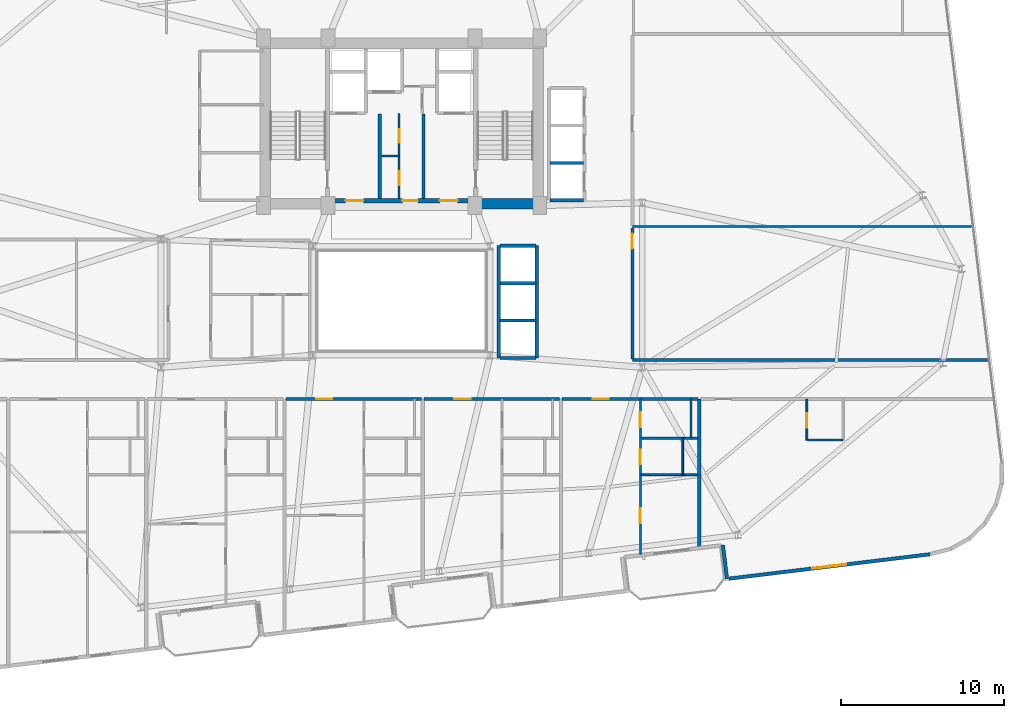
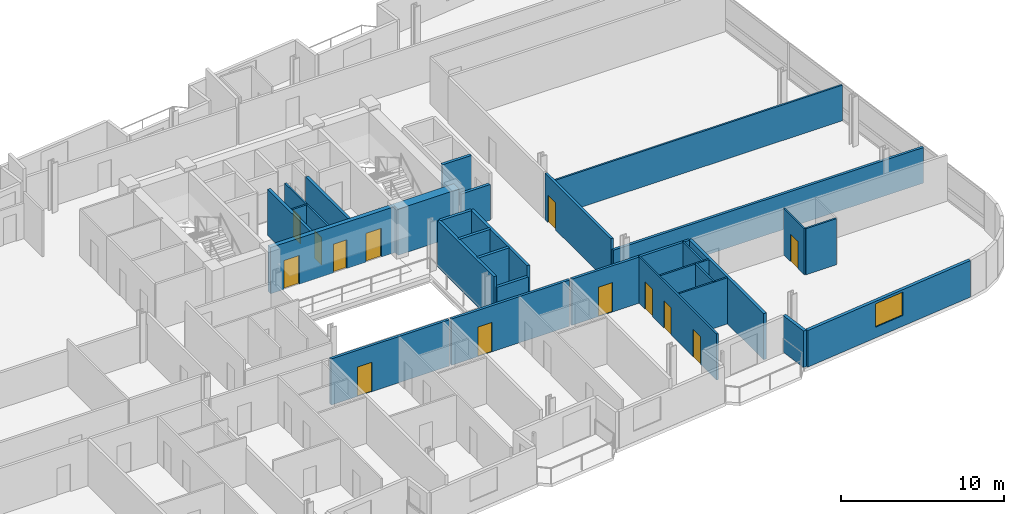
# One storey, part 16 of 23: 30 walls, 13 doors, 1 window, 14 openings.
"""IFC4 building model written with IfcOpenShell, lengths in metres."""

import ifcopenshell
import ifcopenshell.guid

model = None  # the IFC model being written
_history = None  # IfcOwnerHistory: only IFC2X3 demands one
_inside = {}  # id of a spatial element -> (the spatial element, [elements in it])
_under = {}  # id of a project, library or spatial element -> (it, [spatial elements below it])
_declared = {}  # id of a project -> (the project, [libraries it declares])
_typed = {}  # id of a type object -> (the type object, [elements of that type])
_made_of = {}  # id of a material, layer set ... -> (it, [elements and type objects made of it])


def new_model(schema):
    """Start an empty IFC model of exactly this schema.

    Asked for "IFC4X3", IfcOpenShell would pick the latest addendum, in which some entities
    have other attributes; the version numbers below select the first issue.
    IFC2X3 requires an IfcOwnerHistory on every rooted entity: one is made here for all.
    """
    global model, _history
    if schema == "IFC4X3":
        model = ifcopenshell.file(schema_version=(4, 3, 0, 0))
    else:
        model = ifcopenshell.file(schema=schema)
    _inside.clear()
    _under.clear()
    _declared.clear()
    _typed.clear()
    _made_of.clear()
    _history = None
    if model.schema == "IFC2X3":
        org = make("IfcOrganization", Name="unknown")
        user = make(
            "IfcPersonAndOrganization",
            ThePerson=make("IfcPerson", FamilyName="unknown"),
            TheOrganization=org,
        )
        app = make(
            "IfcApplication",
            ApplicationDeveloper=org,
            Version="unknown",
            ApplicationFullName="unknown",
            ApplicationIdentifier="unknown",
        )
        _history = make(
            "IfcOwnerHistory",
            OwningUser=user,
            OwningApplication=app,
            ChangeAction="ADDED",
            CreationDate=0,
        )
    return model


def make(cls, **values):
    """One entity of the class cls with the attributes given. An attribute that is None is left unset."""
    return model.create_entity(
        cls, **{name: value for name, value in values.items() if value is not None}
    )


def rooted(cls, **values):
    """An entity with a GlobalId (a new one), such as an element, a storey or a relation."""
    return make(cls, GlobalId=ifcopenshell.guid.new(), OwnerHistory=_history, **values)


def si_unit(unit_type, name, prefix=None):
    """IfcSIUnit, for example si_unit("LENGTHUNIT", "METRE", prefix="MILLI")."""
    return make("IfcSIUnit", UnitType=unit_type, Prefix=prefix, Name=name)


def assignment(units):
    """IfcUnitAssignment: the units of a project."""
    return None if units is None else make("IfcUnitAssignment", Units=units)


def point(xyz):
    """IfcCartesianPoint."""
    return None if xyz is None else make("IfcCartesianPoint", Coordinates=xyz)


def direction(xyz):
    """IfcDirection."""
    return None if xyz is None else make("IfcDirection", DirectionRatios=xyz)


def frame(location, z_axis=None, x_axis=None):
    """IfcAxis2Placement3D, a coordinate frame: its origin and axes. An axis left out is left unset."""
    return make(
        "IfcAxis2Placement3D",
        Location=point(location),
        Axis=direction(z_axis),
        RefDirection=direction(x_axis),
    )


def frame_2d(location, x_axis=None):
    """IfcAxis2Placement2D, a coordinate frame in the plane: its origin and x axis."""
    return make(
        "IfcAxis2Placement2D", Location=point(location), RefDirection=direction(x_axis)
    )


def origin():
    """The frame at (0, 0, 0) with its axes left unset."""
    return frame((0.0, 0.0, 0.0))


def place(relative_to, where):
    """IfcLocalPlacement: puts the frame where relative to a parent placement (None: the world)."""
    return make(
        "IfcLocalPlacement", PlacementRelTo=relative_to, RelativePlacement=where
    )


def context(
    kind, dimensions, precision=None, world=None, true_north=None, identifier=None
):
    """IfcGeometricRepresentationContext, for example the 3D "Model" context."""
    return make(
        "IfcGeometricRepresentationContext",
        ContextIdentifier=identifier,
        ContextType=kind,
        CoordinateSpaceDimension=dimensions,
        Precision=precision,
        WorldCoordinateSystem=world,
        TrueNorth=true_north,
    )


def subcontext(parent, identifier, kind, view, scale=None):
    """IfcGeometricRepresentationSubContext, for example "Body" below "Model"."""
    return make(
        "IfcGeometricRepresentationSubContext",
        ContextIdentifier=identifier,
        ContextType=kind,
        ParentContext=parent,
        TargetScale=scale,
        TargetView=view,
    )


def project(units=None, contexts=None):
    """IfcProject with its units and contexts."""
    return rooted(
        "IfcProject",
        Name="project",
        RepresentationContexts=contexts,
        UnitsInContext=assignment(units),
    )


def spatial(cls, under=None, at=None, **own):
    """A site, building, storey or space (cls), placed at a placement, below another one or the project."""
    s = rooted(cls, ObjectPlacement=at, **own)
    if under is not None:
        _under.setdefault(under.id(), (under, []))[1].append(s)
    return s


def profile(cls, at=None, kind="AREA", **sizes):
    """A parametric profile (cls). Its sizes go by their IFC names, for example OverallWidth=200.0."""
    return make(cls, ProfileType=kind, Position=at, **sizes)


def rectangle(**sizes):
    """IfcRectangleProfileDef."""
    return profile("IfcRectangleProfileDef", **sizes)


def extrude(swept, where, along, depth):
    """IfcExtrudedAreaSolid: the profile swept, set in the frame where, extruded along a direction by depth."""
    return make(
        "IfcExtrudedAreaSolid",
        SweptArea=swept,
        Position=where,
        ExtrudedDirection=direction(along),
        Depth=depth,
    )


def shape(context_of_items, identifier, shape_type, items):
    """IfcShapeRepresentation: the items that make up one representation, for example the "Body"."""
    return make(
        "IfcShapeRepresentation",
        ContextOfItems=context_of_items,
        RepresentationIdentifier=identifier,
        RepresentationType=shape_type,
        Items=items,
    )


def material(Name=None, Category=None):
    """IfcMaterial."""
    return make("IfcMaterial", Name=Name, Category=Category)


def layer(
    of_material, thickness, ventilated=None, Name=None, Category=None, Priority=None
):
    """IfcMaterialLayer: one layer of a wall or slab, of a material (None: an air gap)."""
    return make(
        "IfcMaterialLayer",
        Material=of_material,
        LayerThickness=thickness,
        IsVentilated=ventilated,
        Name=Name,
        Category=Category,
        Priority=Priority,
    )


def layer_set(layers, Name=None):
    """IfcMaterialLayerSet."""
    return make("IfcMaterialLayerSet", MaterialLayers=layers, LayerSetName=Name)


def made_of(thing, what):
    """Note that an element or type object is made of a material, layer set ...; save() writes the relation."""
    if what is not None:
        _made_of.setdefault(what.id(), (what, []))[1].append(thing)
    return thing


def type_object(cls, material=None, **own):
    """A type object (cls), such as IfcWallType, which elements share."""
    return made_of(rooted(cls, **own), material)


def element(
    cls,
    number,
    at=None,
    inside=None,
    cuts=None,
    type_object=None,
    material=None,
    context=None,
    identifier="Body",
    shape_type=None,
    held_by="IfcProductDefinitionShape",
    body=None,
    shapes=None,
    **own,
):
    """One element of the class cls, such as IfcWall. Its Tag is "e" and its number.

    at: its placement. inside: the storey or other place that contains it. cuts: it is an
    opening in that element (IfcRelVoidsElement). A single representation is given by context,
    identifier, shape_type and body (its items); several are given by shapes. held_by: the class
    of the entity that holds the representations. save() writes the other relations.
    """
    e = rooted(cls, Tag="e%d" % number, ObjectPlacement=at, **own)
    if body is not None:
        shapes = [shape(context, identifier, shape_type, body)]
    if shapes is not None:
        e.Representation = make(held_by, Representations=shapes)
    if inside is not None:
        _inside.setdefault(inside.id(), (inside, []))[1].append(e)
    if cuts is not None:
        rooted(
            "IfcRelVoidsElement", RelatingBuildingElement=cuts, RelatedOpeningElement=e
        )
    if type_object is not None:
        _typed.setdefault(type_object.id(), (type_object, []))[1].append(e)
    return made_of(e, material)


def fill(opening, filler):
    """IfcRelFillsElement: the door or window that sits in an opening."""
    return rooted(
        "IfcRelFillsElement",
        RelatingOpeningElement=opening,
        RelatedBuildingElement=filler,
    )


def aggregate(whole, parts):
    """IfcRelAggregates: a whole, such as a stair, and the parts it consists of."""
    return rooted("IfcRelAggregates", RelatingObject=whole, RelatedObjects=parts)


def save(model, path):
    """Write the relations noted so far, then the file.

    IfcRelAggregates (storeys below a building ...), IfcRelContainedInSpatialStructure (elements
    in a storey), IfcRelDefinesByType, IfcRelAssociatesMaterial and IfcRelDeclares: one each for
    every whole, place, type object, material and project.
    """
    for whole, parts in _under.values():
        aggregate(whole, parts)
    for where, things in _inside.values():
        rooted(
            "IfcRelContainedInSpatialStructure",
            RelatedElements=things,
            RelatingStructure=where,
        )
    for kind, things in _typed.values():
        rooted("IfcRelDefinesByType", RelatedObjects=things, RelatingType=kind)
    for what, things in _made_of.values():
        rooted("IfcRelAssociatesMaterial", RelatedObjects=things, RelatingMaterial=what)
    for by, libraries in _declared.values():
        rooted("IfcRelDeclares", RelatingContext=by, RelatedDefinitions=libraries)
    model.write(path)


model = new_model("IFC4")

# Units and contexts
model_context = context("Model", 3, precision=1e-05, world=origin(), true_north=direction((0.0, 1.0)))
body_context = subcontext(model_context, "Body", "Model", "MODEL_VIEW")
ifc_project = project(units=[si_unit("LENGTHUNIT", "METRE"), si_unit("AREAUNIT", "SQUARE_METRE"), si_unit("VOLUMEUNIT", "CUBIC_METRE"), si_unit("PLANEANGLEUNIT", "RADIAN"), si_unit("MASSUNIT", "GRAM", prefix="KILO")], contexts=[model_context])

# Site, building, storey
site_placement = place(None, origin())
site = spatial("IfcSite", under=ifc_project, at=site_placement, CompositionType="ELEMENT")
building_placement = place(site_placement, origin())
building = spatial("IfcBuilding", under=site, at=building_placement, Name="Varnelok Gate Tower", CompositionType="ELEMENT")
storey_placement = place(building_placement, frame((0.0, 0.0, 193.10009765625)))
storey = spatial("IfcBuildingStorey", under=building, at=storey_placement, Name="L49", CompositionType="ELEMENT", Elevation=193.10009765625)

# Wall
ifc_material_1 = material(Name="Concrete C45/55", Category="concrete")
ifc_layer_1 = layer(ifc_material_1, 0.219970703125)
ifc_layer_set_1 = layer_set([ifc_layer_1], Name="Concrete C45/55")
wall_type_1 = type_object("IfcWallType", Name="EW-BALC-220", PredefinedType="SOLIDWALL", material=ifc_layer_set_1)
wall_1_placement = place(storey_placement, frame((58.961181640625, 7.87158203125, 0.0), z_axis=(0.0, 0.0, 1.0), x_axis=(0.120327895535, -0.992734202874, 0.0)))
element("IfcWall", 1, at=wall_1_placement, inside=storey, type_object=wall_type_1, Name="L49 Perimeter Facade Closure Wall 15", PredefinedType="SOLIDWALL", context=body_context, shape_type="SweptSolid", body=[
    extrude(rectangle(XDim=2.099853515625, YDim=0.219970703125, at=frame_2d((1.0498046875, 0.0))), origin(), (0.0, 0.0, 1.0), 2.72998046875),
])

# Wall, opening, window
wall_2_placement = place(storey_placement, frame((59.337890625, 5.8017578125, 0.0), z_axis=(0.0, 0.0, 1.0), x_axis=(0.992731225757, 0.120352454927, 0.0)))
wall_2 = element("IfcWall", 2, at=wall_2_placement, inside=storey, type_object=wall_type_1, Name="L49 Perimeter Facade Closure Wall 16", PredefinedType="SOLIDWALL", context=body_context, shape_type="SweptSolid", body=[
    extrude(rectangle(XDim=12.447265625, YDim=0.219970703125, at=frame_2d((6.2236328125, 0.0))), origin(), (0.0, 0.0, 1.0), 2.72998046875),
])
opening_1_placement = place(wall_2_placement, frame((5.173583984375, 0.0, 0.800048828125)))
opening_1 = element("IfcOpeningElement", 3, at=opening_1_placement, cuts=wall_2, Name="Opening WN4", PredefinedType="OPENING", context=body_context, shape_type="SweptSolid", body=[
    extrude(rectangle(XDim=2.10009765625, YDim=1.75, at=frame_2d((1.050048828125, 0.875))), frame((0.0, 0.119873046875, 0.0), z_axis=(0.0, -1.0, 0.0), x_axis=(1.0, 0.0, 0.0)), (0.0, 0.0, 1.0), 0.239990234375),
])
ifc_material_2 = material(Name="Low-E Laminated Double Glazing IGU", Category="glass")
window_type = type_object("IfcWindowType", Name="WN-SUI-2100", PartitioningType="SINGLE_PANEL", PredefinedType="WINDOW", material=ifc_material_2)
window_placement = place(opening_1_placement, origin())
window = element("IfcWindow", 4, at=window_placement, inside=storey, type_object=window_type, Name="L49 Perimeter Vision Window 16", OverallHeight=1.75, OverallWidth=2.10009765625, PartitioningType="SINGLE_PANEL", PredefinedType="WINDOW", context=body_context, shape_type="SweptSolid", body=[
    extrude(rectangle(XDim=2.10009765625, YDim=1.75, at=frame_2d((1.050048828125, 0.875))), frame((0.0, 0.030029296875, 0.0), z_axis=(0.0, -1.0, 0.0), x_axis=(1.0, 0.0, 0.0)), (0.0, 0.0, 1.0), 0.06005859375),
])
fill(opening_1, window)

# Wall, opening, door
ifc_material_3 = material(Name="Gypsum Plasterboard Acoustic Partition", Category="gypsum")
ifc_layer_2 = layer(ifc_material_3, 0.179931640625)
ifc_layer_set_2 = layer_set([ifc_layer_2], Name="Gypsum Plasterboard Acoustic Partition")
wall_type_2 = type_object("IfcWallType", Name="PW-CORR-180", PredefinedType="PARTITIONING", material=ifc_layer_set_2)
wall_3_placement = place(storey_placement, frame((32.080078125, 16.85009765625, 0.0), z_axis=(0.0, 0.0, 1.0), x_axis=(1.0, 0.0, 0.0)))
wall_3 = element("IfcWall", 5, at=wall_3_placement, inside=storey, type_object=wall_type_2, Name="Interior Partition", PredefinedType="PARTITIONING", context=body_context, shape_type="SweptSolid", body=[
    extrude(rectangle(XDim=8.33984375, YDim=0.179931640625, at=frame_2d((4.169921875, 0.0))), origin(), (0.0, 0.0, 1.0), 3.449951171875),
])
opening_2_placement = place(wall_3_placement, frame((1.86767578125, 0.0, 0.0)))
opening_2 = element("IfcOpeningElement", 6, at=opening_2_placement, cuts=wall_3, Name="Opening D-AP", PredefinedType="OPENING", context=body_context, shape_type="SweptSolid", body=[
    extrude(rectangle(XDim=1.0, YDim=2.199951171875, at=frame_2d((0.5, 1.10009765625))), frame((0.0, 0.099853515625, 0.0), z_axis=(0.0, -1.0, 0.0), x_axis=(1.0, 0.0, 0.0)), (0.0, 0.0, 1.0), 0.199951171875),
])
ifc_material_4 = material(Name="Engineered Hardwood Timber", Category="wood")
door_type_1 = type_object("IfcDoorType", Name="DR-APT-1000", OperationType="NOTDEFINED", PredefinedType="DOOR", material=ifc_material_4)
door_1_placement = place(opening_2_placement, origin())
door_1 = element("IfcDoor", 7, at=door_1_placement, inside=storey, type_object=door_type_1, Name="L49 Apartment 4 Entrance Door", OperationType="SINGLE_SWING_LEFT", OverallHeight=2.199951171875, OverallWidth=1.0, PredefinedType="DOOR", context=body_context, shape_type="SweptSolid", body=[
    extrude(rectangle(XDim=1.0, YDim=2.199951171875, at=frame_2d((0.5, 1.10009765625))), frame((0.0, 0.02490234375, 0.0), z_axis=(0.0, -1.0, 0.0), x_axis=(1.0, 0.0, 0.0)), (0.0, 0.0, 1.0), 0.050048828125),
])
fill(opening_2, door_1)

wall_4_placement = place(storey_placement, frame((40.580078125, 16.85009765625, 0.0), z_axis=(0.0, 0.0, 1.0), x_axis=(1.0, 0.0, 0.0)))
wall_4 = element("IfcWall", 8, at=wall_4_placement, inside=storey, type_object=wall_type_2, Name="Interior Partition", PredefinedType="PARTITIONING", context=body_context, shape_type="SweptSolid", body=[
    extrude(rectangle(XDim=8.33984375, YDim=0.179931640625, at=frame_2d((4.169921875, 0.0))), origin(), (0.0, 0.0, 1.0), 3.449951171875),
])
opening_3_placement = place(wall_4_placement, frame((1.86767578125, 0.0, 0.0)))
opening_3 = element("IfcOpeningElement", 9, at=opening_3_placement, cuts=wall_4, Name="Opening D-AP", PredefinedType="OPENING", context=body_context, shape_type="SweptSolid", body=[
    extrude(rectangle(XDim=1.0, YDim=2.199951171875, at=frame_2d((0.5, 1.10009765625))), frame((0.0, 0.099853515625, 0.0), z_axis=(0.0, -1.0, 0.0), x_axis=(1.0, 0.0, 0.0)), (0.0, 0.0, 1.0), 0.199951171875),
])
door_2_placement = place(opening_3_placement, origin())
door_2 = element("IfcDoor", 10, at=door_2_placement, inside=storey, type_object=door_type_1, Name="L49 Apartment 5 Entrance Door", OperationType="SINGLE_SWING_RIGHT", OverallHeight=2.199951171875, OverallWidth=1.0, PredefinedType="DOOR", context=body_context, shape_type="SweptSolid", body=[
    extrude(rectangle(XDim=1.0, YDim=2.199951171875, at=frame_2d((0.5, 1.10009765625))), frame((0.0, 0.02490234375, 0.0), z_axis=(0.0, -1.0, 0.0), x_axis=(1.0, 0.0, 0.0)), (0.0, 0.0, 1.0), 0.050048828125),
])
fill(opening_3, door_2)

wall_5_placement = place(storey_placement, frame((49.080078125, 16.85009765625, 0.0), z_axis=(0.0, 0.0, 1.0), x_axis=(1.0, 0.0, 0.0)))
wall_5 = element("IfcWall", 11, at=wall_5_placement, inside=storey, type_object=wall_type_2, Name="Interior Partition", PredefinedType="PARTITIONING", context=body_context, shape_type="SweptSolid", body=[
    extrude(rectangle(XDim=8.33984375, YDim=0.179931640625, at=frame_2d((4.169921875, 0.0))), origin(), (0.0, 0.0, 1.0), 3.449951171875),
])
opening_4_placement = place(wall_5_placement, frame((1.86767578125, 0.0, 0.0)))
opening_4 = element("IfcOpeningElement", 12, at=opening_4_placement, cuts=wall_5, Name="Opening D-AP", PredefinedType="OPENING", context=body_context, shape_type="SweptSolid", body=[
    extrude(rectangle(XDim=1.0, YDim=2.199951171875, at=frame_2d((0.5, 1.10009765625))), frame((0.0, 0.099853515625, 0.0), z_axis=(0.0, -1.0, 0.0), x_axis=(1.0, 0.0, 0.0)), (0.0, 0.0, 1.0), 0.199951171875),
])
door_3_placement = place(opening_4_placement, origin())
door_3 = element("IfcDoor", 13, at=door_3_placement, inside=storey, type_object=door_type_1, Name="L49 Apartment 6 Entrance Door", OperationType="SINGLE_SWING_LEFT", OverallHeight=2.199951171875, OverallWidth=1.0, PredefinedType="DOOR", context=body_context, shape_type="SweptSolid", body=[
    extrude(rectangle(XDim=1.0, YDim=2.199951171875, at=frame_2d((0.5, 1.10009765625))), frame((0.0, 0.02490234375, 0.0), z_axis=(0.0, -1.0, 0.0), x_axis=(1.0, 0.0, 0.0)), (0.0, 0.0, 1.0), 0.050048828125),
])
fill(opening_4, door_3)

wall_6_placement = place(storey_placement, frame((53.389892578125, 19.300048828125, 0.0), z_axis=(0.0, 0.0, 1.0), x_axis=(0.0, 1.0, 0.0)))
wall_6 = element("IfcWall", 14, at=wall_6_placement, inside=storey, type_object=wall_type_2, Name="Interior Partition", PredefinedType="PARTITIONING", context=body_context, shape_type="SweptSolid", body=[
    extrude(rectangle(XDim=8.070068359375, YDim=0.179931640625, at=frame_2d((4.03515625, 0.0))), origin(), (0.0, 0.0, 1.0), 3.449951171875),
])
opening_5_placement = place(wall_6_placement, frame((6.800048828125, 0.0, 0.0)))
opening_5 = element("IfcOpeningElement", 15, at=opening_5_placement, cuts=wall_6, Name="Opening D-I3", PredefinedType="OPENING", context=body_context, shape_type="SweptSolid", body=[
    extrude(rectangle(XDim=0.919921875, YDim=2.050048828125, at=frame_2d((0.4599609375, 1.02490234375))), frame((0.0, 0.099853515625, 0.0), z_axis=(0.0, -1.0, 0.0), x_axis=(1.0, 0.0, 0.0)), (0.0, 0.0, 1.0), 0.199951171875),
])
door_type_2 = type_object("IfcDoorType", Name="DR-INT-920", OperationType="NOTDEFINED", PredefinedType="DOOR", material=ifc_material_4)
door_4_placement = place(opening_5_placement, origin())
door_4 = element("IfcDoor", 16, at=door_4_placement, inside=storey, type_object=door_type_2, Name="L49 East Suite 1 Door", OperationType="SINGLE_SWING_LEFT", OverallHeight=2.050048828125, OverallWidth=0.919921875, PredefinedType="DOOR", context=body_context, shape_type="SweptSolid", body=[
    extrude(rectangle(XDim=0.919921875, YDim=2.050048828125, at=frame_2d((0.4599609375, 1.02490234375))), frame((0.0, 0.02490234375, 0.0), z_axis=(0.0, -1.0, 0.0), x_axis=(1.0, 0.0, 0.0)), (0.0, 0.0, 1.0), 0.050048828125),
])
fill(opening_5, door_4)

# Walls
wall_7_placement = place(storey_placement, frame((53.389892578125, 19.239990234375, 0.0), z_axis=(0.0, 0.0, 1.0), x_axis=(1.0, 0.0, 0.0)))
element("IfcWall", 17, at=wall_7_placement, inside=storey, type_object=wall_type_2, Name="Interior Partition", PredefinedType="PARTITIONING", context=body_context, shape_type="SweptSolid", body=[
    extrude(rectangle(XDim=21.922119140625, YDim=0.179931640625, at=frame_2d((10.9609375, 0.0))), origin(), (0.0, 0.0, 1.0), 2.661865234375),
])
ifc_layer_3 = layer(ifc_material_3, 0.114990234375)
ifc_layer_set_3 = layer_set([ifc_layer_3], Name="Gypsum Plasterboard Acoustic Partition")
wall_type_3 = type_object("IfcWallType", Name="PW-ENS-125", PredefinedType="PARTITIONING", material=ifc_layer_set_3)
wall_8_placement = place(storey_placement, frame((53.955078125, 12.199951171875, 0.0), z_axis=(0.0, 0.0, 1.0), x_axis=(1.0, 0.0, 0.0)))
element("IfcWall", 18, at=wall_8_placement, inside=storey, type_object=wall_type_3, Name="Interior Partition", PredefinedType="PARTITIONING", context=body_context, shape_type="SweptSolid", body=[
    extrude(rectangle(XDim=3.46484375, YDim=0.114990234375, at=frame_2d((1.732421875, 0.0))), origin(), (0.0, 0.0, 1.0), 3.449951171875),
])
wall_9_placement = place(storey_placement, frame((56.4951171875, 12.199951171875, 0.0), z_axis=(0.0, 0.0, 1.0), x_axis=(0.0, 1.0, 0.0)))
element("IfcWall", 19, at=wall_9_placement, inside=storey, type_object=wall_type_3, Name="Interior Partition", PredefinedType="PARTITIONING", context=body_context, shape_type="SweptSolid", body=[
    extrude(rectangle(XDim=2.239990234375, YDim=0.114990234375, at=frame_2d((1.1201171875, 0.0))), origin(), (0.0, 0.0, 1.0), 3.449951171875),
])
wall_10_placement = place(storey_placement, frame((64.169921875, 14.330078125, 0.0), z_axis=(0.0, 0.0, 1.0), x_axis=(1.0, 0.0, 0.0)))
element("IfcWall", 20, at=wall_10_placement, inside=storey, type_object=wall_type_3, Name="Interior Partition", PredefinedType="PARTITIONING", context=body_context, shape_type="SweptSolid", body=[
    extrude(rectangle(XDim=2.150146484375, YDim=0.114990234375, at=frame_2d((1.0751953125, 0.0))), origin(), (0.0, 0.0, 1.0), 3.449951171875),
])

# Wall, opening, door
wall_11_placement = place(storey_placement, frame((64.1298828125, 14.330078125, 0.0), z_axis=(0.0, 0.0, 1.0), x_axis=(0.0, 1.0, 0.0)))
wall_11 = element("IfcWall", 21, at=wall_11_placement, inside=storey, type_object=wall_type_3, Name="Interior Partition", PredefinedType="PARTITIONING", context=body_context, shape_type="SweptSolid", body=[
    extrude(rectangle(XDim=2.52001953125, YDim=0.114990234375, at=frame_2d((1.260009765625, 0.0))), origin(), (0.0, 0.0, 1.0), 3.449951171875),
])
opening_6_placement = place(wall_11_placement, frame((0.760009765625, 0.0, 0.0)))
opening_6 = element("IfcOpeningElement", 22, at=opening_6_placement, cuts=wall_11, Name="Opening D-WC", PredefinedType="OPENING", context=body_context, shape_type="SweptSolid", body=[
    extrude(rectangle(XDim=0.89990234375, YDim=2.050048828125, at=frame_2d((0.449951171875, 1.02490234375))), frame((0.0, 0.0673828125, 0.0), z_axis=(0.0, -1.0, 0.0), x_axis=(1.0, 0.0, 0.0)), (0.0, 0.0, 1.0), 0.135009765625),
])
door_type_3 = type_object("IfcDoorType", Name="DR-BATH-900", OperationType="NOTDEFINED", PredefinedType="DOOR", material=ifc_material_4)
door_5_placement = place(opening_6_placement, origin())
door_5 = element("IfcDoor", 23, at=door_5_placement, inside=storey, type_object=door_type_3, Name="L49 Guest En-Suite 07 Door", OperationType="SINGLE_SWING_RIGHT", OverallHeight=2.050048828125, OverallWidth=0.89990234375, PredefinedType="DOOR", context=body_context, shape_type="SweptSolid", body=[
    extrude(rectangle(XDim=0.89990234375, YDim=2.050048828125, at=frame_2d((0.449951171875, 1.02490234375))), frame((0.0, 0.02490234375, 0.0), z_axis=(0.0, -1.0, 0.0), x_axis=(1.0, 0.0, 0.0)), (0.0, 0.0, 1.0), 0.050048828125),
])
fill(opening_6, door_5)

# Wall, openings, doors
ifc_layer_4 = layer(ifc_material_3, 0.125)
ifc_layer_set_4 = layer_set([ifc_layer_4], Name="Gypsum Plasterboard Acoustic Partition")
wall_type_4 = type_object("IfcWallType", Name="PW-PART-125", PredefinedType="PARTITIONING", material=ifc_layer_set_4)
wall_12_placement = place(storey_placement, frame((53.88525390625, 7.2763671875, 0.0), z_axis=(0.0, 0.0, 1.0), x_axis=(0.0, 1.0, 0.0)))
wall_12 = element("IfcWall", 24, at=wall_12_placement, inside=storey, type_object=wall_type_4, Name="Interior Partition", PredefinedType="PARTITIONING", context=body_context, shape_type="SweptSolid", body=[
    extrude(rectangle(XDim=9.57373046875, YDim=0.125, at=frame_2d((4.786865234375, 0.0))), origin(), (0.0, 0.0, 1.0), 3.449951171875),
])
opening_7_placement = place(wall_12_placement, frame((1.94189453125, 0.0, 0.0)))
opening_7 = element("IfcOpeningElement", 25, at=opening_7_placement, cuts=wall_12, Name="Opening D-I3", PredefinedType="OPENING", context=body_context, shape_type="SweptSolid", body=[
    extrude(rectangle(XDim=0.919921875, YDim=2.050048828125, at=frame_2d((0.4599609375, 1.02490234375))), frame((0.0, 0.072509765625, 0.0), z_axis=(0.0, -1.0, 0.0), x_axis=(1.0, 0.0, 0.0)), (0.0, 0.0, 1.0), 0.14501953125),
])
opening_8_placement = place(wall_12_placement, frame((5.551025390625, 0.0, 0.0)))
opening_8 = element("IfcOpeningElement", 26, at=opening_8_placement, cuts=wall_12, Name="Opening D-WC", PredefinedType="OPENING", context=body_context, shape_type="SweptSolid", body=[
    extrude(rectangle(XDim=0.89990234375, YDim=2.050048828125, at=frame_2d((0.449951171875, 1.02490234375))), frame((0.0, 0.072509765625, 0.0), z_axis=(0.0, -1.0, 0.0), x_axis=(1.0, 0.0, 0.0)), (0.0, 0.0, 1.0), 0.14501953125),
])
opening_9_placement = place(wall_12_placement, frame((7.84375, 0.0, 0.0)))
opening_9 = element("IfcOpeningElement", 27, at=opening_9_placement, cuts=wall_12, Name="Opening D-I3", PredefinedType="OPENING", context=body_context, shape_type="SweptSolid", body=[
    extrude(rectangle(XDim=0.919921875, YDim=2.050048828125, at=frame_2d((0.4599609375, 1.02490234375))), frame((0.0, 0.072509765625, 0.0), z_axis=(0.0, -1.0, 0.0), x_axis=(1.0, 0.0, 0.0)), (0.0, 0.0, 1.0), 0.14501953125),
])
door_6_placement = place(opening_8_placement, origin())
door_6 = element("IfcDoor", 28, at=door_6_placement, inside=storey, type_object=door_type_3, Name="L49 Apartment 6 Bathroom Door", OperationType="SINGLE_SWING_LEFT", OverallHeight=2.050048828125, OverallWidth=0.89990234375, PredefinedType="DOOR", context=body_context, shape_type="SweptSolid", body=[
    extrude(rectangle(XDim=0.89990234375, YDim=2.050048828125, at=frame_2d((0.449951171875, 1.02490234375))), frame((0.0, 0.02490234375, 0.0), z_axis=(0.0, -1.0, 0.0), x_axis=(1.0, 0.0, 0.0)), (0.0, 0.0, 1.0), 0.050048828125),
])
fill(opening_8, door_6)
door_7_placement = place(opening_7_placement, origin())
door_7 = element("IfcDoor", 29, at=door_7_placement, inside=storey, type_object=door_type_2, Name="L49 Apartment 6 Bedroom Door", OperationType="SINGLE_SWING_RIGHT", OverallHeight=2.050048828125, OverallWidth=0.919921875, PredefinedType="DOOR", context=body_context, shape_type="SweptSolid", body=[
    extrude(rectangle(XDim=0.919921875, YDim=2.050048828125, at=frame_2d((0.4599609375, 1.02490234375))), frame((0.0, 0.02490234375, 0.0), z_axis=(0.0, -1.0, 0.0), x_axis=(1.0, 0.0, 0.0)), (0.0, 0.0, 1.0), 0.050048828125),
])
fill(opening_7, door_7)
door_8_placement = place(opening_9_placement, origin())
door_8 = element("IfcDoor", 30, at=door_8_placement, inside=storey, type_object=door_type_2, Name="L49 Apartment 6 Kitchen Door", OperationType="SINGLE_SWING_RIGHT", OverallHeight=2.050048828125, OverallWidth=0.919921875, PredefinedType="DOOR", context=body_context, shape_type="SweptSolid", body=[
    extrude(rectangle(XDim=0.919921875, YDim=2.050048828125, at=frame_2d((0.4599609375, 1.02490234375))), frame((0.0, 0.02490234375, 0.0), z_axis=(0.0, -1.0, 0.0), x_axis=(1.0, 0.0, 0.0)), (0.0, 0.0, 1.0), 0.050048828125),
])
fill(opening_9, door_8)

# Walls
wall_13_placement = place(storey_placement, frame((53.955078125, 14.43994140625, 0.0), z_axis=(0.0, 0.0, 1.0), x_axis=(1.0, 0.0, 0.0)))
element("IfcWall", 31, at=wall_13_placement, inside=storey, type_object=wall_type_4, Name="Interior Partition", PredefinedType="PARTITIONING", context=body_context, shape_type="SweptSolid", body=[
    extrude(rectangle(XDim=3.46484375, YDim=0.125, at=frame_2d((1.732421875, 0.0))), origin(), (0.0, 0.0, 1.0), 3.449951171875),
])
wall_14_placement = place(storey_placement, frame((56.9951171875, 14.43994140625, 0.0), z_axis=(0.0, 0.0, 1.0), x_axis=(0.0, 1.0, 0.0)))
element("IfcWall", 32, at=wall_14_placement, inside=storey, type_object=wall_type_4, Name="Interior Partition", PredefinedType="PARTITIONING", context=body_context, shape_type="SweptSolid", body=[
    extrude(rectangle(XDim=2.41015625, YDim=0.125, at=frame_2d((1.205078125, 0.0))), origin(), (0.0, 0.0, 1.0), 3.449951171875),
])
wall_15_placement = place(storey_placement, frame((53.389892578125, 27.449951171875, 0.0), z_axis=(0.0, 0.0, 1.0), x_axis=(1.0, 0.0, 0.0)))
element("IfcWall", 33, at=wall_15_placement, inside=storey, type_object=wall_type_4, Name="Interior Partition", PredefinedType="PARTITIONING", context=body_context, shape_type="SweptSolid", body=[
    extrude(rectangle(XDim=20.927001953125, YDim=0.125, at=frame_2d((10.46337890625, 0.0))), origin(), (0.0, 0.0, 1.0), 2.661865234375),
])
wall_16_placement = place(storey_placement, frame((37.9599609375, 31.800048828125, 0.0), z_axis=(0.0, 0.0, 1.0), x_axis=(1.0, 0.0, 0.0)))
element("IfcWall", 34, at=wall_16_placement, inside=storey, type_object=wall_type_4, Name="Interior Partition", PredefinedType="PARTITIONING", context=body_context, shape_type="SweptSolid", body=[
    extrude(rectangle(XDim=1.090087890625, YDim=0.125, at=frame_2d((0.544921875, 0.0))), origin(), (0.0, 0.0, 1.0), 3.449951171875),
])

# Wall, openings, doors
wall_17_placement = place(storey_placement, frame((39.050048828125, 29.199951171875, 0.0), z_axis=(0.0, 0.0, 1.0), x_axis=(0.0, 1.0, 0.0)))
wall_17 = element("IfcWall", 35, at=wall_17_placement, inside=storey, type_object=wall_type_4, Name="Interior Partition", PredefinedType="PARTITIONING", context=body_context, shape_type="SweptSolid", body=[
    extrude(rectangle(XDim=5.219970703125, YDim=0.125, at=frame_2d((2.60986328125, 0.0))), origin(), (0.0, 0.0, 1.0), 3.449951171875),
])
opening_10_placement = place(wall_17_placement, frame((0.800048828125, 0.0, 0.0)))
opening_10 = element("IfcOpeningElement", 36, at=opening_10_placement, cuts=wall_17, Name="Opening D-RS", PredefinedType="OPENING", context=body_context, shape_type="SweptSolid", body=[
    extrude(rectangle(XDim=0.85009765625, YDim=2.050048828125, at=frame_2d((0.425048828125, 1.02490234375))), frame((0.0, 0.072509765625, 0.0), z_axis=(0.0, -1.0, 0.0), x_axis=(1.0, 0.0, 0.0)), (0.0, 0.0, 1.0), 0.14501953125),
])
opening_11_placement = place(wall_17_placement, frame((3.39990234375, 0.0, 0.0)))
opening_11 = element("IfcOpeningElement", 37, at=opening_11_placement, cuts=wall_17, Name="Opening D-RS", PredefinedType="OPENING", context=body_context, shape_type="SweptSolid", body=[
    extrude(rectangle(XDim=0.85009765625, YDim=2.050048828125, at=frame_2d((0.425048828125, 1.02490234375))), frame((0.0, 0.072509765625, 0.0), z_axis=(0.0, -1.0, 0.0), x_axis=(1.0, 0.0, 0.0)), (0.0, 0.0, 1.0), 0.14501953125),
])
ifc_material_5 = material(Name="Galvanized Steel Grade S350GD", Category="steel")
door_type_4 = type_object("IfcDoorType", Name="DR-RISER-850", OperationType="NOTDEFINED", PredefinedType="DOOR", material=ifc_material_5)
door_9_placement = place(opening_10_placement, origin())
door_9 = element("IfcDoor", 38, at=door_9_placement, inside=storey, type_object=door_type_4, Name="L49 Housekeeping Linen Door", OperationType="SINGLE_SWING_LEFT", OverallHeight=2.050048828125, OverallWidth=0.85009765625, PredefinedType="DOOR", context=body_context, shape_type="SweptSolid", body=[
    extrude(rectangle(XDim=0.85009765625, YDim=2.050048828125, at=frame_2d((0.425048828125, 1.02490234375))), frame((0.0, 0.02490234375, 0.0), z_axis=(0.0, -1.0, 0.0), x_axis=(1.0, 0.0, 0.0)), (0.0, 0.0, 1.0), 0.050048828125),
])
fill(opening_10, door_9)
door_10_placement = place(opening_11_placement, origin())
door_10 = element("IfcDoor", 39, at=door_10_placement, inside=storey, type_object=door_type_4, Name="L49 Janitor Sink Door", OperationType="SINGLE_SWING_RIGHT", OverallHeight=2.050048828125, OverallWidth=0.85009765625, PredefinedType="DOOR", context=body_context, shape_type="SweptSolid", body=[
    extrude(rectangle(XDim=0.85009765625, YDim=2.050048828125, at=frame_2d((0.425048828125, 1.02490234375))), frame((0.0, 0.02490234375, 0.0), z_axis=(0.0, -1.0, 0.0), x_axis=(1.0, 0.0, 0.0)), (0.0, 0.0, 1.0), 0.050048828125),
])
fill(opening_11, door_10)

# Walls
ifc_layer_5 = layer(ifc_material_3, 0.205078125)
ifc_layer_set_5 = layer_set([ifc_layer_5], Name="Gypsum Plasterboard Acoustic Partition")
wall_type_5 = type_object("IfcWallType", Name="PW-PARTY-200", PredefinedType="PARTITIONING", material=ifc_layer_set_5)
wall_18_placement = place(storey_placement, frame((57.5, 7.714599609375, 0.0), z_axis=(0.0, 0.0, 1.0), x_axis=(0.0, 1.0, 0.0)))
element("IfcWall", 40, at=wall_18_placement, inside=storey, type_object=wall_type_5, Name="L49 South Party Wall 6", PredefinedType="PARTITIONING", context=body_context, shape_type="SweptSolid", body=[
    extrude(rectangle(XDim=9.135498046875, YDim=0.205078125, at=frame_2d((4.56787109375, 0.0))), origin(), (0.0, 0.0, 1.0), 3.449951171875),
])
ifc_material_6 = material(Name="Concrete C35/45", Category="concrete")
ifc_layer_6 = layer(ifc_material_6, 0.199951171875)
ifc_layer_set_6 = layer_set([ifc_layer_6], Name="Concrete C35/45")
wall_type_6 = type_object("IfcWallType", Name="PW-SHAFT-200", PredefinedType="PARTITIONING", material=ifc_layer_set_6)
for number, where, z_axis, x_axis, name in (
    (41, (37.860107421875, 29.199951171875, 0.0), (0.0, 0.0, 1.0), (0.0, 1.0, 0.0), "L49 West FF Lobby Rated Wall"),
    (42, (40.5400390625, 29.199951171875, 0.0), (0.0, 0.0, 1.0), (0.0, 1.0, 0.0), "L49 East FF Lobby Rated Wall"),
):
    element("IfcWall", number, at=place(storey_placement, frame(where, z_axis=z_axis, x_axis=x_axis)), inside=storey, type_object=wall_type_6, Name=name, PredefinedType="PARTITIONING", context=body_context, shape_type="SweptSolid", body=[
        extrude(rectangle(XDim=5.179931640625, YDim=0.199951171875, at=frame_2d((2.58984375, 0.0))), origin(), (0.0, 0.0, 1.0), 3.449951171875),
    ])
wall_19_placement = place(storey_placement, frame((48.320068359375, 31.375, 0.0), z_axis=(0.0, 0.0, 1.0), x_axis=(1.0, 0.0, 0.0)))
element("IfcWall", 43, at=wall_19_placement, inside=storey, type_object=wall_type_6, Name="L49 PM1 Divider", PredefinedType="PARTITIONING", context=body_context, shape_type="SweptSolid", body=[
    extrude(rectangle(XDim=2.059814453125, YDim=0.199951171875, at=frame_2d((1.02978515625, 0.0))), origin(), (0.0, 0.0, 1.0), 3.449951171875),
])
wall_20_placement = place(storey_placement, frame((48.320068359375, 29.080078125, 0.0), z_axis=(0.0, 0.0, 1.0), x_axis=(1.0, 0.0, 0.0)))
element("IfcWall", 44, at=wall_20_placement, inside=storey, type_object=wall_type_6, Name="L49 PM Bank South Wall", PredefinedType="PARTITIONING", context=body_context, shape_type="SweptSolid", body=[
    extrude(rectangle(XDim=2.059814453125, YDim=0.199951171875, at=frame_2d((1.02978515625, 0.0))), origin(), (0.0, 0.0, 1.0), 2.661865234375),
])
for number, where, z_axis, x_axis, name in (
    (45, (45.239990234375, 21.675048828125, 0.0), (0.0, 0.0, 1.0), (1.0, 0.0, 0.0), "L49 PH1 Divider"),
    (46, (45.239990234375, 23.97509765625, 0.0), (0.0, 0.0, 1.0), (1.0, 0.0, 0.0), "L49 PH2 Divider"),
):
    element("IfcWall", number, at=place(storey_placement, frame(where, z_axis=z_axis, x_axis=x_axis)), inside=storey, type_object=wall_type_6, Name=name, PredefinedType="PARTITIONING", context=body_context, shape_type="SweptSolid", body=[
        extrude(rectangle(XDim=2.219970703125, YDim=0.199951171875, at=frame_2d((1.10986328125, 0.0))), origin(), (0.0, 0.0, 1.0), 3.449951171875),
    ])
wall_21_placement = place(storey_placement, frame((45.239990234375, 19.3798828125, 0.0), z_axis=(0.0, 0.0, 1.0), x_axis=(1.0, 0.0, 0.0)))
element("IfcWall", 47, at=wall_21_placement, inside=storey, type_object=wall_type_6, Name="L49 PH Bank South Wall", PredefinedType="PARTITIONING", context=body_context, shape_type="SweptSolid", body=[
    extrude(rectangle(XDim=2.219970703125, YDim=0.199951171875, at=frame_2d((1.10986328125, 0.0))), origin(), (0.0, 0.0, 1.0), 2.661865234375),
])
wall_22_placement = place(storey_placement, frame((45.239990234375, 26.280029296875, 0.0), z_axis=(0.0, 0.0, 1.0), x_axis=(1.0, 0.0, 0.0)))
element("IfcWall", 48, at=wall_22_placement, inside=storey, type_object=wall_type_6, Name="L49 PH Bank North Wall", PredefinedType="PARTITIONING", context=body_context, shape_type="SweptSolid", body=[
    extrude(rectangle(XDim=2.219970703125, YDim=0.199951171875, at=frame_2d((1.10986328125, 0.0))), origin(), (0.0, 0.0, 1.0), 3.449951171875),
])
for number, where, z_axis, x_axis, name in (
    (49, (45.179931640625, 19.3798828125, 0.0), (0.0, 0.0, 1.0), (0.0, 1.0, 0.0), "L49 PH Bank Atrium Wall"),
    (50, (47.52001953125, 19.3798828125, 0.0), (0.0, 0.0, 1.0), (0.0, 1.0, 0.0), "L49 PH Bank Front Wall"),
):
    element("IfcWall", number, at=place(storey_placement, frame(where, z_axis=z_axis, x_axis=x_axis)), inside=storey, type_object=wall_type_6, Name=name, PredefinedType="PARTITIONING", context=body_context, shape_type="SweptSolid", body=[
        extrude(rectangle(XDim=6.900146484375, YDim=0.199951171875, at=frame_2d((3.4501953125, 0.0))), origin(), (0.0, 0.0, 1.0), 3.449951171875),
    ])
ifc_material_7 = material(Name="Concrete C60/75", Category="concrete")
ifc_layer_7 = layer(ifc_material_7, 0.64990234375)
ifc_layer_set_7 = layer_set([ifc_layer_7], Name="Concrete C60/75")
wall_type_7 = type_object("IfcWallType", Name="SW-CORE-650", PredefinedType="SHEAR", material=ifc_layer_set_7)
wall_23_placement = place(storey_placement, frame((43.60009765625, 28.875, 0.0), z_axis=(0.0, 0.0, 1.0), x_axis=(1.0, 0.0, 0.0)))
element("IfcWall", 51, at=wall_23_placement, inside=storey, type_object=wall_type_7, Name="L49 Rear Core South-East Shear Wall", PredefinedType="SHEAR", context=body_context, shape_type="SweptSolid", body=[
    extrude(rectangle(XDim=4.31982421875, YDim=0.64990234375, at=frame_2d((2.159912109375, 0.0))), origin(), (0.0, 0.0, 1.0), 3.449951171875),
])

# Wall, openings, doors
ifc_layer_8 = layer(ifc_material_7, 0.300048828125)
ifc_layer_set_8 = layer_set([ifc_layer_8], Name="Concrete C60/75")
wall_type_8 = type_object("IfcWallType", Name="SW-SHAFT-300", PredefinedType="SHEAR", material=ifc_layer_set_8)
wall_24_placement = place(storey_placement, frame((34.800048828125, 29.050048828125, 0.0), z_axis=(0.0, 0.0, 1.0), x_axis=(1.0, 0.0, 0.0)))
wall_24 = element("IfcWall", 52, at=wall_24_placement, inside=storey, type_object=wall_type_8, Name="L49 Rear Core Central Lobby Shear Wall", PredefinedType="SHEAR", context=body_context, shape_type="SweptSolid", body=[
    extrude(rectangle(XDim=8.800048828125, YDim=0.300048828125, at=frame_2d((4.39990234375, 0.0))), origin(), (0.0, 0.0, 1.0), 3.449951171875),
])
opening_12_placement = place(wall_24_placement, frame((0.949951171875, 0.0, 0.0)))
opening_12 = element("IfcOpeningElement", 53, at=opening_12_placement, cuts=wall_24, Name="Opening D-FF", PredefinedType="OPENING", context=body_context, shape_type="SweptSolid", body=[
    extrude(rectangle(XDim=1.10009765625, YDim=2.14990234375, at=frame_2d((0.550048828125, 1.074951171875))), frame((0.0, 0.159912109375, 0.0), z_axis=(0.0, -1.0, 0.0), x_axis=(1.0, 0.0, 0.0)), (0.0, 0.0, 1.0), 0.320068359375),
])
opening_13_placement = place(wall_24_placement, frame((6.75, 0.0, 0.0)))
opening_13 = element("IfcOpeningElement", 54, at=opening_13_placement, cuts=wall_24, Name="Opening D-FF", PredefinedType="OPENING", context=body_context, shape_type="SweptSolid", body=[
    extrude(rectangle(XDim=1.10009765625, YDim=2.14990234375, at=frame_2d((0.550048828125, 1.074951171875))), frame((0.0, 0.159912109375, 0.0), z_axis=(0.0, -1.0, 0.0), x_axis=(1.0, 0.0, 0.0)), (0.0, 0.0, 1.0), 0.320068359375),
])
opening_14_placement = place(wall_24_placement, frame((4.449951171875, 0.0, 0.0)))
opening_14 = element("IfcOpeningElement", 55, at=opening_14_placement, cuts=wall_24, Name="Opening D-CR", PredefinedType="OPENING", context=body_context, shape_type="SweptSolid", body=[
    extrude(rectangle(XDim=0.949951171875, YDim=2.14990234375, at=frame_2d((0.47509765625, 1.074951171875))), frame((0.0, 0.159912109375, 0.0), z_axis=(0.0, -1.0, 0.0), x_axis=(1.0, 0.0, 0.0)), (0.0, 0.0, 1.0), 0.320068359375),
])
door_type_5 = type_object("IfcDoorType", Name="DR-CORR-950", OperationType="NOTDEFINED", PredefinedType="DOOR", material=ifc_material_5)
door_11_placement = place(opening_14_placement, origin())
door_11 = element("IfcDoor", 56, at=door_11_placement, inside=storey, type_object=door_type_5, Name="L49 Core Service Passage Door", OperationType="SINGLE_SWING_LEFT", OverallHeight=2.14990234375, OverallWidth=0.949951171875, PredefinedType="DOOR", context=body_context, shape_type="SweptSolid", body=[
    extrude(rectangle(XDim=0.949951171875, YDim=2.14990234375, at=frame_2d((0.47509765625, 1.074951171875))), frame((0.0, 0.02490234375, 0.0), z_axis=(0.0, -1.0, 0.0), x_axis=(1.0, 0.0, 0.0)), (0.0, 0.0, 1.0), 0.050048828125),
])
fill(opening_14, door_11)
door_type_6 = type_object("IfcDoorType", Name="DR-FFLOB-1100", OperationType="NOTDEFINED", PredefinedType="DOOR", material=ifc_material_5)
door_12_placement = place(opening_12_placement, origin())
door_12 = element("IfcDoor", 57, at=door_12_placement, inside=storey, type_object=door_type_6, Name="L49 West Firefighting Lobby Fire Door", OperationType="SINGLE_SWING_RIGHT", OverallHeight=2.14990234375, OverallWidth=1.10009765625, PredefinedType="DOOR", context=body_context, shape_type="SweptSolid", body=[
    extrude(rectangle(XDim=1.10009765625, YDim=2.14990234375, at=frame_2d((0.550048828125, 1.074951171875))), frame((0.0, 0.02490234375, 0.0), z_axis=(0.0, -1.0, 0.0), x_axis=(1.0, 0.0, 0.0)), (0.0, 0.0, 1.0), 0.050048828125),
])
fill(opening_12, door_12)
door_13_placement = place(opening_13_placement, origin())
door_13 = element("IfcDoor", 58, at=door_13_placement, inside=storey, type_object=door_type_6, Name="L49 East Firefighting Lobby Fire Door", OperationType="SINGLE_SWING_LEFT", OverallHeight=2.14990234375, OverallWidth=1.10009765625, PredefinedType="DOOR", context=body_context, shape_type="SweptSolid", body=[
    extrude(rectangle(XDim=1.10009765625, YDim=2.14990234375, at=frame_2d((0.550048828125, 1.074951171875))), frame((0.0, 0.02490234375, 0.0), z_axis=(0.0, -1.0, 0.0), x_axis=(1.0, 0.0, 0.0)), (0.0, 0.0, 1.0), 0.050048828125),
])
fill(opening_13, door_13)

save(model, "model.ifc")
